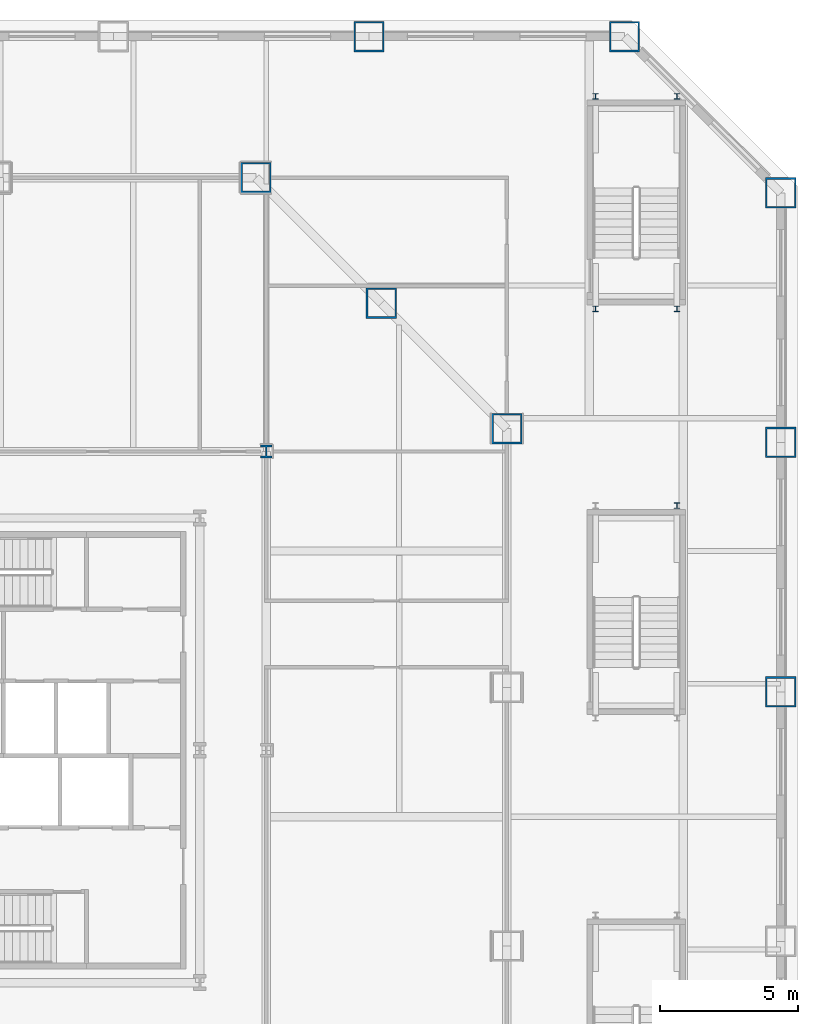
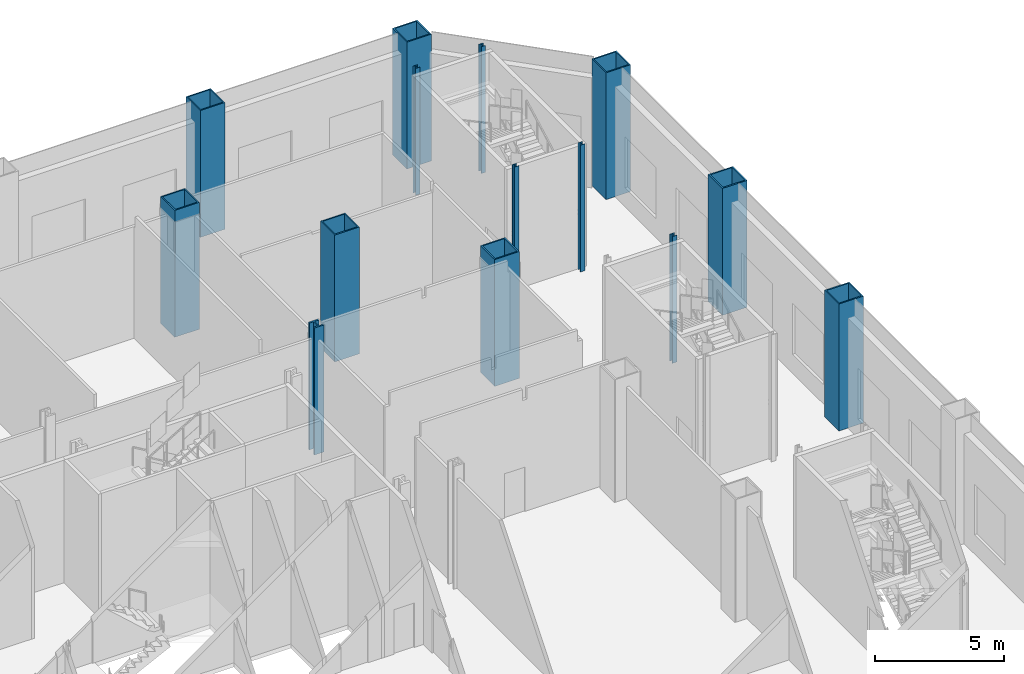
# One storey, part 7 of 31: 14 columns.
"""IFC4 building model written with IfcOpenShell, lengths in metres."""

from ifc_helpers import new_model, si_unit, direction, frame, origin, origin_2d, place, context, subcontext, project, spatial, hollow_rectangle, i_section, extrude, material, material_profile, profile_set, type_object, element, save


model = new_model("IFC4")

# Units and contexts
model_context = context("Model", 3, precision=1e-05, world=origin(), true_north=direction((0.0, 1.0)))
body_context = subcontext(model_context, "Body", "Model", "MODEL_VIEW")
ifc_project = project(units=[si_unit("LENGTHUNIT", "METRE"), si_unit("AREAUNIT", "SQUARE_METRE"), si_unit("VOLUMEUNIT", "CUBIC_METRE"), si_unit("PLANEANGLEUNIT", "RADIAN"), si_unit("MASSUNIT", "GRAM", prefix="KILO")], contexts=[model_context])

# Site, building, storey
site_placement = place(None, origin())
site = spatial("IfcSite", under=ifc_project, at=site_placement, CompositionType="ELEMENT")
building_placement = place(site_placement, origin())
building = spatial("IfcBuilding", under=site, at=building_placement, Name="Cairn Pilgrim Tower", CompositionType="ELEMENT")
storey_placement = place(building_placement, frame((0.0, 0.0, 9.0)))
storey = spatial("IfcBuildingStorey", under=building, at=storey_placement, Name="L01", CompositionType="ELEMENT", Elevation=9.0)

# Columns
ifc_material_1 = material(Name="Structural steel S460M", Category="steel")
ifc_material_profile_1 = material_profile(ifc_material_1, hollow_rectangle(XDim=1.10009765625, YDim=1.10009765625, WallThickness=0.06005859375, at=origin_2d()), Name="BOX 1100x1100x60")
ifc_profile_set_1 = profile_set([ifc_material_profile_1], Name="Structural steel S460M")
column_type_1 = type_object("IfcColumnType", Name="BOX 1100x1100x60", PredefinedType="COLUMN", material=ifc_profile_set_1)
for number, where, z_axis, x_axis, name in (
    (1, (27.89990234375, 14.027099609375, -0.199951171875), (0.0, 0.0, 1.0), (1.0, 0.0, 0.0), "PC1-NE1"),
    (2, (23.363525390625, 18.563720703125, -0.199951171875), (0.0, 0.0, 1.0), (1.0, 0.0, 0.0), "PC1-NE2"),
    (3, (18.8271484375, 23.10009765625, -0.199951171875), (0.0, 0.0, 1.0), (1.0, 0.0, 0.0), "PC1-N1"),
):
    element("IfcColumn", number, at=place(storey_placement, frame(where, z_axis=z_axis, x_axis=x_axis)), inside=storey, type_object=column_type_1, Name=name, PredefinedType="COLUMN", context=body_context, shape_type="SweptSolid", body=[
        extrude(hollow_rectangle(XDim=1.10009765625, YDim=1.10009765625, WallThickness=0.06005859375, at=origin_2d()), origin(), (0.0, 0.0, 1.0), 6.0),
    ])
ifc_material_profile_2 = material_profile(ifc_material_1, i_section(OverallWidth=0.424072265625, OverallDepth=0.47412109375, WebThickness=0.047607421875, FlangeThickness=0.0771484375, FilletRadius=0.014892578125, at=origin_2d()), Name="HD 400x634")
ifc_profile_set_2 = profile_set([ifc_material_profile_2], Name="Structural steel S460M")
column_type_2 = type_object("IfcColumnType", Name="HD 400x634", PredefinedType="COLUMN", material=ifc_profile_set_2)
column_placement = place(storey_placement, frame((19.199951171875, 13.199951171875, -0.199951171875), z_axis=(0.0, 0.0, 1.0), x_axis=(1.0, 0.0, 0.0)))
element("IfcColumn", 4, at=column_placement, inside=storey, type_object=column_type_2, Name="IC-8", PredefinedType="COLUMN", context=body_context, shape_type="SweptSolid", body=[
    extrude(i_section(OverallWidth=0.424072265625, OverallDepth=0.47412109375, WebThickness=0.047607421875, FlangeThickness=0.0771484375, FilletRadius=0.014892578125, at=origin_2d()), origin(), (0.0, 0.0, 1.0), 6.0),
])
ifc_material_profile_3 = material_profile(ifc_material_1, hollow_rectangle(XDim=1.10009765625, YDim=1.10009765625, WallThickness=0.06005859375, at=origin_2d()), Name="BOX 1100x1100x60")
ifc_profile_set_3 = profile_set([ifc_material_profile_3], Name="Structural steel S460M")
column_type_3 = type_object("IfcColumnType", Name="PILOTIS CFT 1100", PredefinedType="COLUMN", material=ifc_profile_set_3)
for number, where, z_axis, x_axis, name in (
    (5, (37.800048828125, 4.51025390625, 0.0), (0.0, 0.0, 1.0), (1.0, 0.0, 0.0), "PILOTIS PL-E4"),
    (6, (37.800048828125, 13.531005859375, 0.0), (0.0, 0.0, 1.0), (1.0, 0.0, 0.0), "PILOTIS PL-E5"),
    (7, (37.800048828125, 22.551513671875, 0.0), (0.0, 0.0, 1.0), (1.0, 0.0, 0.0), "PILOTIS PL-NE1"),
    (8, (32.151611328125, 28.199951171875, 0.0), (0.0, 0.0, 1.0), (1.0, 0.0, 0.0), "PILOTIS PL-N1"),
    (9, (22.91357421875, 28.199951171875, 0.0), (0.0, 0.0, 1.0), (1.0, 0.0, 0.0), "PILOTIS PL-N2"),
):
    element("IfcColumn", number, at=place(storey_placement, frame(where, z_axis=z_axis, x_axis=x_axis)), inside=storey, type_object=column_type_3, Name=name, PredefinedType="COLUMN", context=body_context, shape_type="SweptSolid", body=[
        extrude(hollow_rectangle(XDim=1.10009765625, YDim=1.10009765625, WallThickness=0.06005859375, at=origin_2d()), origin(), (0.0, 0.0, 1.0), 6.0),
    ])
ifc_material_2 = material(Name="Structural steel S355J2", Category="steel")
ifc_material_profile_4 = material_profile(ifc_material_2, i_section(OverallWidth=0.199951171875, OverallDepth=0.199951171875, WebThickness=0.009033203125, FlangeThickness=0.014892578125, FilletRadius=0.01806640625, at=origin_2d()), Name="HE 200 B")
ifc_profile_set_4 = profile_set([ifc_material_profile_4], Name="Structural steel S355J2")
column_type_4 = type_object("IfcColumnType", Name="STAIR POST HE 200 B", PredefinedType="COLUMN", material=ifc_profile_set_4)
for number, where, z_axis, x_axis, name in (
    (10, (34.044921875, 11.239990234375, 0.0), (0.0, 0.0, 1.0), (1.0, 0.0, 0.0), "STAIR POST LP-ES3-NB"),
    (11, (31.10498046875, 26.0400390625, 0.0), (0.0, 0.0, 1.0), (1.0, 0.0, 0.0), "STAIR POST LP-ES4-NA"),
    (12, (34.044921875, 26.0400390625, 0.0), (0.0, 0.0, 1.0), (1.0, 0.0, 0.0), "STAIR POST LP-ES4-NB"),
    (13, (31.10498046875, 18.360107421875, 0.0), (0.0, 0.0, 1.0), (1.0, 0.0, 0.0), "STAIR POST LP-ES4-SA"),
    (14, (34.044921875, 18.360107421875, 0.0), (0.0, 0.0, 1.0), (1.0, 0.0, 0.0), "STAIR POST LP-ES4-SB"),
):
    element("IfcColumn", number, at=place(storey_placement, frame(where, z_axis=z_axis, x_axis=x_axis)), inside=storey, type_object=column_type_4, Name=name, PredefinedType="COLUMN", context=body_context, shape_type="SweptSolid", body=[
        extrude(i_section(OverallWidth=0.199951171875, OverallDepth=0.199951171875, WebThickness=0.009033203125, FlangeThickness=0.014892578125, FilletRadius=0.01806640625, at=origin_2d()), origin(), (0.0, 0.0, 1.0), 6.0),
    ])

save(model, "model.ifc")
